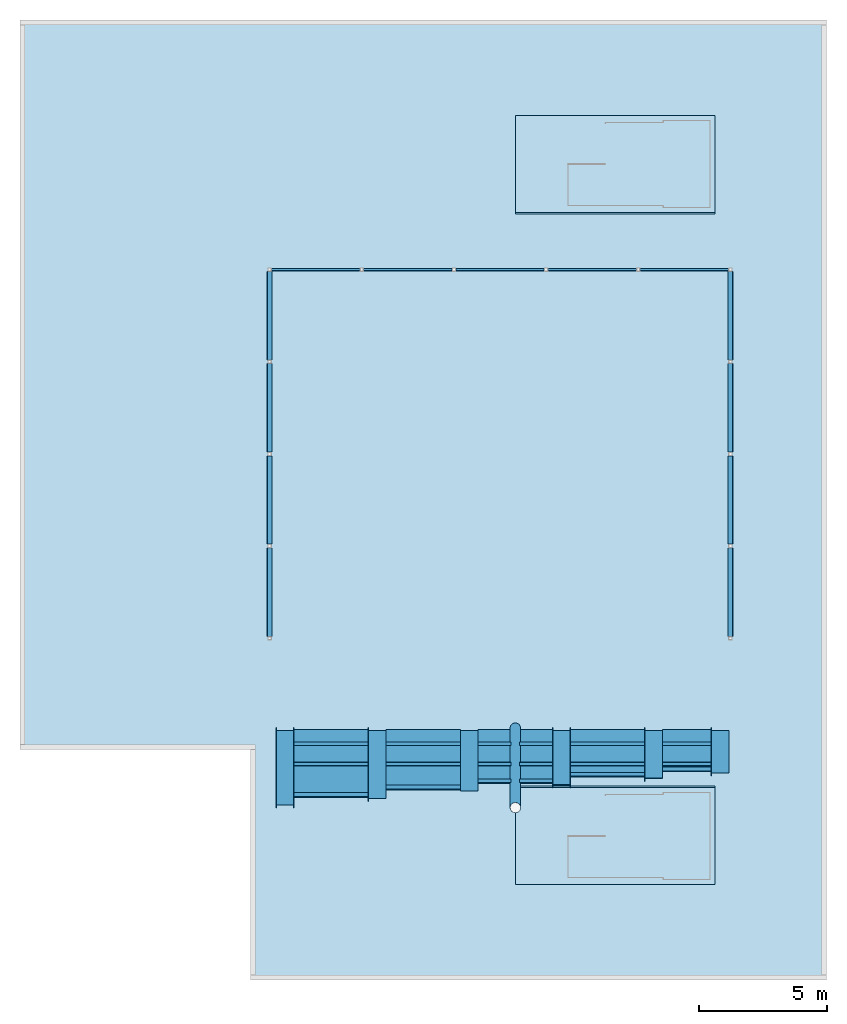
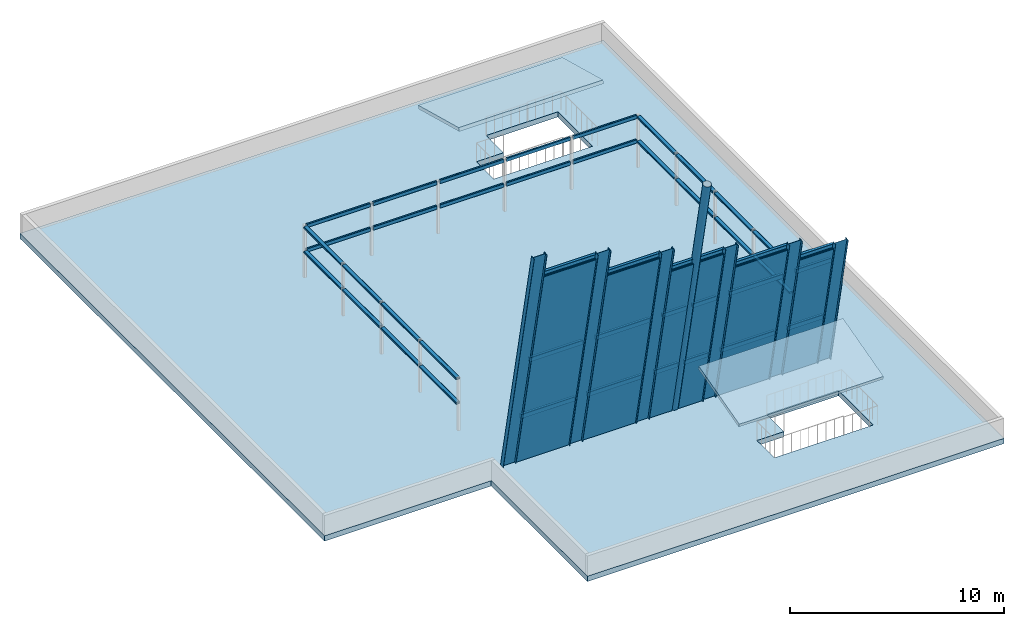
# One storey, part 2 of 5: 51 members, 6 plates, 3 slabs.
"""IFC4 building model written with IfcOpenShell, lengths in metres."""

from ifc_helpers import new_model, si_unit, direction, frame, origin, origin_2d, place, context, subcontext, project, spatial, polyline, hollow_rectangle, hollow_circle, i_section, outline, extrude, material, layer, layer_set, material_profile, profile_set, type_object, element, save


model = new_model("IFC4")

# Units and contexts
model_context = context("Model", 3, precision=1e-05, world=origin(), true_north=direction((0.0, 1.0)))
body_context = subcontext(model_context, "Body", "Model", "MODEL_VIEW")
ifc_project = project(units=[si_unit("LENGTHUNIT", "METRE"), si_unit("AREAUNIT", "SQUARE_METRE"), si_unit("VOLUMEUNIT", "CUBIC_METRE"), si_unit("PLANEANGLEUNIT", "RADIAN"), si_unit("MASSUNIT", "GRAM", prefix="KILO")], contexts=[model_context])

# Site, building, storey
site_placement = place(None, origin())
site = spatial("IfcSite", under=ifc_project, at=site_placement, CompositionType="ELEMENT")
building_placement = place(site_placement, origin())
building = spatial("IfcBuilding", under=site, at=building_placement, Name="Tuart Plaza Theatre", CompositionType="ELEMENT")
storey_placement = place(building_placement, frame((0.0, 0.0, 70.5)))
storey = spatial("IfcBuildingStorey", under=building, at=storey_placement, Name="ROOF", CompositionType="ELEMENT", Elevation=70.5)

# Members
ifc_material_1 = material(Name="Steel Grade 300", Category="steel")
ifc_material_profile_1 = material_profile(ifc_material_1, i_section(OverallWidth=0.14599609375, OverallDepth=0.256103515625, WebThickness=0.00634765625, FlangeThickness=0.010986328125, FilletRadius=0.0087890625, at=origin_2d()), Name="250UB37.3")
ifc_profile_set_1 = profile_set([ifc_material_profile_1], Name="Steel Grade 300")
member_type_1 = type_object("IfcMemberType", Name="CROWN BLADE BMU Track 250UB37.3", PredefinedType="CHORD", material=ifc_profile_set_1)
member_1_placement = place(storey_placement, frame((123.949951171875, 62.493408203125, 12.297607421875), z_axis=(1.0, 0.0, 0.0), x_axis=(0.0, 1.0, 0.0)))
element("IfcMember", 1, at=member_1_placement, inside=storey, type_object=member_type_1, Name="CH72", PredefinedType="CHORD", context=body_context, shape_type="SweptSolid", body=[
    extrude(i_section(OverallWidth=0.14599609375, OverallDepth=0.256103515625, WebThickness=0.00634765625, FlangeThickness=0.010986328125, FilletRadius=0.0087890625, at=origin_2d()), origin(), (0.0, 0.0, 1.0), 2.900146484375),
])
member_2_placement = place(storey_placement, frame((127.550048828125, 62.784423828125, 10.92822265625), z_axis=(1.0, 0.0, 0.0), x_axis=(0.0, 1.0, 0.0)))
element("IfcMember", 2, at=member_2_placement, inside=storey, type_object=member_type_1, Name="CH72", PredefinedType="CHORD", context=body_context, shape_type="SweptSolid", body=[
    extrude(i_section(OverallWidth=0.14599609375, OverallDepth=0.256103515625, WebThickness=0.00634765625, FlangeThickness=0.010986328125, FilletRadius=0.0087890625, at=origin_2d()), origin(), (0.0, 0.0, 1.0), 2.89990234375),
])
for number, where, z_axis, x_axis, name in (
    (3, (131.14990234375, 63.033935546875, 9.75439453125), (1.0, 0.0, 0.0), (0.0, 1.0, 0.0), "CH72"),
    (4, (132.77099609375, 63.033935546875, 9.75439453125), (1.0, 0.0, 0.0), (0.0, 1.0, 0.0), "CH72"),
):
    element("IfcMember", number, at=place(storey_placement, frame(where, z_axis=z_axis, x_axis=x_axis)), inside=storey, type_object=member_type_1, Name=name, PredefinedType="CHORD", context=body_context, shape_type="SweptSolid", body=[
        extrude(i_section(OverallWidth=0.14599609375, OverallDepth=0.256103515625, WebThickness=0.00634765625, FlangeThickness=0.010986328125, FilletRadius=0.0087890625, at=origin_2d()), origin(), (0.0, 0.0, 1.0), 1.279052734375),
    ])
member_3_placement = place(storey_placement, frame((134.75, 63.283447265625, 8.58056640625), z_axis=(1.0, 0.0, 0.0), x_axis=(0.0, 1.0, 0.0)))
element("IfcMember", 5, at=member_3_placement, inside=storey, type_object=member_type_1, Name="CH72", PredefinedType="CHORD", context=body_context, shape_type="SweptSolid", body=[
    extrude(i_section(OverallWidth=0.14599609375, OverallDepth=0.256103515625, WebThickness=0.00634765625, FlangeThickness=0.010986328125, FilletRadius=0.0087890625, at=origin_2d()), origin(), (0.0, 0.0, 1.0), 2.89990234375),
])
member_4_placement = place(storey_placement, frame((138.35009765625, 63.491455078125, 7.6025390625), z_axis=(1.0, 0.0, 0.0), x_axis=(0.0, 1.0, 0.0)))
element("IfcMember", 6, at=member_4_placement, inside=storey, type_object=member_type_1, Name="CH72", PredefinedType="CHORD", context=body_context, shape_type="SweptSolid", body=[
    extrude(i_section(OverallWidth=0.14599609375, OverallDepth=0.256103515625, WebThickness=0.00634765625, FlangeThickness=0.010986328125, FilletRadius=0.0087890625, at=origin_2d()), origin(), (0.0, 0.0, 1.0), 1.89990234375),
])
ifc_material_2 = material(Name="Steel Grade 300", Category="steel")
ifc_material_profile_2 = material_profile(ifc_material_2, i_section(OverallWidth=0.25, OverallDepth=0.699951171875, WebThickness=0.008056640625, FlangeThickness=0.011962890625, at=origin_2d()), Name="700WB115")
ifc_profile_set_2 = profile_set([ifc_material_profile_2], Name="Steel Grade 300")
member_type_2 = type_object("IfcMemberType", Name="CROWN BLADE Blade 700WB115", PredefinedType="POST", material=ifc_profile_set_2)
member_5_placement = place(storey_placement, frame((123.60009765625, 64.994384765625, 0.0263671875), z_axis=(0.0, -0.207902429734, 0.978149569192), x_axis=(0.0, 0.978149569192, 0.207902429734)))
element("IfcMember", 7, at=member_5_placement, inside=storey, type_object=member_type_2, Name="PO108", PredefinedType="POST", context=body_context, shape_type="SweptSolid", body=[
    extrude(i_section(OverallWidth=0.25, OverallDepth=0.699951171875, WebThickness=0.008056640625, FlangeThickness=0.011962890625, at=origin_2d()), origin(), (0.0, 0.0, 1.0), 13.97314453125),
])
member_6_placement = place(storey_placement, frame((127.199951171875, 64.994384765625, 0.0263671875), z_axis=(0.0, -0.207919334196, 0.978145976052), x_axis=(0.0, 0.978145976052, 0.207919334196)))
element("IfcMember", 8, at=member_6_placement, inside=storey, type_object=member_type_2, Name="PO108", PredefinedType="POST", context=body_context, shape_type="SweptSolid", body=[
    extrude(i_section(OverallWidth=0.25, OverallDepth=0.699951171875, WebThickness=0.008056640625, FlangeThickness=0.011962890625, at=origin_2d()), origin(), (0.0, 0.0, 1.0), 12.77294921875),
])
member_7_placement = place(storey_placement, frame((130.800048828125, 64.994384765625, 0.0263671875), z_axis=(0.0, -0.207904455253, 0.978149138673), x_axis=(0.0, 0.978149138673, 0.207904455253)))
element("IfcMember", 9, at=member_7_placement, inside=storey, type_object=member_type_2, Name="PO108", PredefinedType="POST", context=body_context, shape_type="SweptSolid", body=[
    extrude(i_section(OverallWidth=0.25, OverallDepth=0.699951171875, WebThickness=0.008056640625, FlangeThickness=0.011962890625, at=origin_2d()), origin(), (0.0, 0.0, 1.0), 11.373046875),
])
member_8_placement = place(storey_placement, frame((134.39990234375, 64.994384765625, 0.0263671875), z_axis=(0.0, -0.207902957602, 0.978149456995), x_axis=(0.0, 0.978149456995, 0.207902957602)))
element("IfcMember", 10, at=member_8_placement, inside=storey, type_object=member_type_2, Name="PO108", PredefinedType="POST", context=body_context, shape_type="SweptSolid", body=[
    extrude(i_section(OverallWidth=0.25, OverallDepth=0.699951171875, WebThickness=0.008056640625, FlangeThickness=0.011962890625, at=origin_2d()), origin(), (0.0, 0.0, 1.0), 10.1728515625),
])
member_9_placement = place(storey_placement, frame((138.0, 64.994384765625, 0.0263671875), z_axis=(0.0, -0.207901059354, 0.978149860461), x_axis=(0.0, 0.978149860461, 0.207901059354)))
element("IfcMember", 11, at=member_9_placement, inside=storey, type_object=member_type_2, Name="PO108", PredefinedType="POST", context=body_context, shape_type="SweptSolid", body=[
    extrude(i_section(OverallWidth=0.25, OverallDepth=0.699951171875, WebThickness=0.008056640625, FlangeThickness=0.011962890625, at=origin_2d()), origin(), (0.0, 0.0, 1.0), 8.972900390625),
])
member_10_placement = place(storey_placement, frame((140.60009765625, 64.994384765625, 0.0263671875), z_axis=(0.0, -0.207914421125, 0.978147020385), x_axis=(0.0, 0.978147020385, 0.207914421125)))
element("IfcMember", 12, at=member_10_placement, inside=storey, type_object=member_type_2, Name="PO108", PredefinedType="POST", context=body_context, shape_type="SweptSolid", body=[
    extrude(i_section(OverallWidth=0.25, OverallDepth=0.699951171875, WebThickness=0.008056640625, FlangeThickness=0.011962890625, at=origin_2d()), origin(), (0.0, 0.0, 1.0), 7.97314453125),
])
ifc_material_3 = material(Name="Steel Grade C350L0", Category="steel")
ifc_material_profile_3 = material_profile(ifc_material_3, hollow_rectangle(XDim=0.14990234375, YDim=0.25, WallThickness=0.009033203125, InnerFilletRadius=0.009033203125, OuterFilletRadius=0.01806640625, at=origin_2d()), Name="250x150x9 RHS")
ifc_profile_set_3 = profile_set([ifc_material_profile_3], Name="Steel Grade C350L0")
member_type_3 = type_object("IfcMemberType", Name="CROWN BLADE Tie 250x150x9 RHS", PredefinedType="CHORD", material=ifc_profile_set_3)
for number, where, z_axis, x_axis, name in (
    (13, (123.949951171875, 64.47900390625, 2.956298828125), (1.0, 0.0, 0.0), (0.0, 1.0, 0.0), "CH27"),
    (14, (123.949951171875, 63.68896484375, 6.67333984375), (1.0, 0.0, 0.0), (0.0, 1.0, 0.0), "CH27"),
):
    element("IfcMember", number, at=place(storey_placement, frame(where, z_axis=z_axis, x_axis=x_axis)), inside=storey, type_object=member_type_3, Name=name, PredefinedType="CHORD", context=body_context, shape_type="SweptSolid", body=[
        extrude(hollow_rectangle(XDim=0.14990234375, YDim=0.25, WallThickness=0.009033203125, InnerFilletRadius=0.009033203125, OuterFilletRadius=0.01806640625, at=origin_2d()), origin(), (0.0, 0.0, 1.0), 2.900146484375),
    ])
for number, where, z_axis, x_axis, name in (
    (15, (127.550048828125, 64.47900390625, 2.956298828125), (1.0, 0.0, 0.0), (0.0, 1.0, 0.0), "CH27"),
    (16, (127.550048828125, 63.68896484375, 6.67333984375), (1.0, 0.0, 0.0), (0.0, 1.0, 0.0), "CH27"),
):
    element("IfcMember", number, at=place(storey_placement, frame(where, z_axis=z_axis, x_axis=x_axis)), inside=storey, type_object=member_type_3, Name=name, PredefinedType="CHORD", context=body_context, shape_type="SweptSolid", body=[
        extrude(hollow_rectangle(XDim=0.14990234375, YDim=0.25, WallThickness=0.009033203125, InnerFilletRadius=0.009033203125, OuterFilletRadius=0.01806640625, at=origin_2d()), origin(), (0.0, 0.0, 1.0), 2.89990234375),
    ])
for number, where, z_axis, x_axis, name in (
    (17, (131.14990234375, 64.47900390625, 2.956298828125), (1.0, 0.0, 0.0), (0.0, 1.0, 0.0), "CH27"),
    (18, (131.14990234375, 63.68896484375, 6.67333984375), (1.0, 0.0, 0.0), (0.0, 1.0, 0.0), "CH27"),
    (19, (132.77099609375, 64.47900390625, 2.956298828125), (1.0, 0.0, 0.0), (0.0, 1.0, 0.0), "CH27"),
    (20, (132.77099609375, 63.68896484375, 6.67333984375), (1.0, 0.0, 0.0), (0.0, 1.0, 0.0), "CH27"),
):
    element("IfcMember", number, at=place(storey_placement, frame(where, z_axis=z_axis, x_axis=x_axis)), inside=storey, type_object=member_type_3, Name=name, PredefinedType="CHORD", context=body_context, shape_type="SweptSolid", body=[
        extrude(hollow_rectangle(XDim=0.14990234375, YDim=0.25, WallThickness=0.009033203125, InnerFilletRadius=0.009033203125, OuterFilletRadius=0.01806640625, at=origin_2d()), origin(), (0.0, 0.0, 1.0), 1.279052734375),
    ])
for number, where, z_axis, x_axis, name in (
    (21, (134.75, 64.47900390625, 2.956298828125), (1.0, 0.0, 0.0), (0.0, 1.0, 0.0), "CH27"),
    (22, (134.75, 63.68896484375, 6.67333984375), (1.0, 0.0, 0.0), (0.0, 1.0, 0.0), "CH27"),
):
    element("IfcMember", number, at=place(storey_placement, frame(where, z_axis=z_axis, x_axis=x_axis)), inside=storey, type_object=member_type_3, Name=name, PredefinedType="CHORD", context=body_context, shape_type="SweptSolid", body=[
        extrude(hollow_rectangle(XDim=0.14990234375, YDim=0.25, WallThickness=0.009033203125, InnerFilletRadius=0.009033203125, OuterFilletRadius=0.01806640625, at=origin_2d()), origin(), (0.0, 0.0, 1.0), 2.89990234375),
    ])
for number, where, z_axis, x_axis, name in (
    (23, (138.35009765625, 64.47900390625, 2.956298828125), (1.0, 0.0, 0.0), (0.0, 1.0, 0.0), "CH27"),
    (24, (138.35009765625, 63.68896484375, 6.67333984375), (1.0, 0.0, 0.0), (0.0, 1.0, 0.0), "CH27"),
):
    element("IfcMember", number, at=place(storey_placement, frame(where, z_axis=z_axis, x_axis=x_axis)), inside=storey, type_object=member_type_3, Name=name, PredefinedType="CHORD", context=body_context, shape_type="SweptSolid", body=[
        extrude(hollow_rectangle(XDim=0.14990234375, YDim=0.25, WallThickness=0.009033203125, InnerFilletRadius=0.009033203125, OuterFilletRadius=0.01806640625, at=origin_2d()), origin(), (0.0, 0.0, 1.0), 1.89990234375),
    ])
ifc_material_4 = material(Name="Steel Grade C350L0", Category="steel")
ifc_material_profile_4 = material_profile(ifc_material_4, hollow_circle(Radius=0.203125, WallThickness=0.0126953125, at=origin_2d()), Name="406.4x12.7 CHS")
ifc_profile_set_4 = profile_set([ifc_material_profile_4], Name="Steel Grade C350L0")
member_type_4 = type_object("IfcMemberType", Name="CROWN MAST Mast 406.4x12.7 CHS", PredefinedType="POST", material=ifc_profile_set_4)
member_11_placement = place(storey_placement, frame((132.60009765625, 65.093505859375, 0.064453125), z_axis=(0.0, -0.207895653683, 0.978151009395), x_axis=(1.0, 0.0, 0.0)))
element("IfcMember", 25, at=member_11_placement, inside=storey, type_object=member_type_4, Name="PO242", PredefinedType="POST", context=body_context, shape_type="SweptSolid", body=[
    extrude(hollow_circle(Radius=0.203125, WallThickness=0.0126953125, at=origin_2d()), origin(), (0.0, 0.0, 1.0), 14.95654296875),
])
ifc_material_5 = material(Name="Steel Grade C350L0", Category="steel")
ifc_material_profile_5 = material_profile(ifc_material_5, hollow_rectangle(XDim=0.10009765625, YDim=0.199951171875, WallThickness=0.008056640625, InnerFilletRadius=0.008056640625, OuterFilletRadius=0.01611328125, at=origin_2d()), Name="200x100x8 RHS")
ifc_profile_set_5 = profile_set([ifc_material_profile_5], Name="Steel Grade C350L0")
member_type_5 = type_object("IfcMemberType", Name="MEMBER Purlin 200x100x8 RHS", PredefinedType="PURLIN", material=ifc_profile_set_5)
for number, where, z_axis, x_axis, name in (
    (26, (141.0, 68.675048828125, 2.89990234375), (0.0, 1.0, 0.0), (0.0, 0.0, 1.0), "PU133"),
    (27, (141.0, 68.675048828125, 1.5), (0.0, 1.0, 0.0), (0.0, 0.0, 1.0), "PU134"),
):
    element("IfcMember", number, at=place(storey_placement, frame(where, z_axis=z_axis, x_axis=x_axis)), inside=storey, type_object=member_type_5, Name=name, PredefinedType="PURLIN", context=body_context, shape_type="SweptSolid", body=[
        extrude(hollow_rectangle(XDim=0.10009765625, YDim=0.199951171875, WallThickness=0.008056640625, InnerFilletRadius=0.008056640625, OuterFilletRadius=0.01611328125, at=origin_2d()), origin(), (0.0, 0.0, 1.0), 3.449951171875),
    ])
for number, where, z_axis, x_axis, name in (
    (28, (141.0, 72.27490234375, 2.89990234375), (0.0, 1.0, 0.0), (0.0, 0.0, 1.0), "PU135"),
    (29, (141.0, 72.27490234375, 1.5), (0.0, 1.0, 0.0), (0.0, 0.0, 1.0), "PU136"),
):
    element("IfcMember", number, at=place(storey_placement, frame(where, z_axis=z_axis, x_axis=x_axis)), inside=storey, type_object=member_type_5, Name=name, PredefinedType="PURLIN", context=body_context, shape_type="SweptSolid", body=[
        extrude(hollow_rectangle(XDim=0.10009765625, YDim=0.199951171875, WallThickness=0.008056640625, InnerFilletRadius=0.008056640625, OuterFilletRadius=0.01611328125, at=origin_2d()), origin(), (0.0, 0.0, 1.0), 3.4501953125),
    ])
for number, where, z_axis, x_axis, name in (
    (30, (141.0, 75.875, 2.89990234375), (0.0, 1.0, 0.0), (0.0, 0.0, 1.0), "PU137"),
    (31, (141.0, 75.875, 1.5), (0.0, 1.0, 0.0), (0.0, 0.0, 1.0), "PU138"),
    (32, (141.0, 79.47509765625, 2.89990234375), (0.0, 1.0, 0.0), (0.0, 0.0, 1.0), "PU139"),
    (33, (141.0, 79.47509765625, 1.5), (0.0, 1.0, 0.0), (0.0, 0.0, 1.0), "PU140"),
    (34, (140.925048828125, 83.0, 2.89990234375), (-1.0, 0.0, 0.0), (0.0, -1.0, 0.0), "PU141"),
    (35, (140.925048828125, 83.0, 1.5), (-1.0, 0.0, 0.0), (0.0, -1.0, 0.0), "PU142"),
    (36, (137.324951171875, 83.0, 2.89990234375), (-1.0, 0.0, 0.0), (0.0, -1.0, 0.0), "PU143"),
    (37, (137.324951171875, 83.0, 1.5), (-1.0, 0.0, 0.0), (0.0, -1.0, 0.0), "PU144"),
):
    element("IfcMember", number, at=place(storey_placement, frame(where, z_axis=z_axis, x_axis=x_axis)), inside=storey, type_object=member_type_5, Name=name, PredefinedType="PURLIN", context=body_context, shape_type="SweptSolid", body=[
        extrude(hollow_rectangle(XDim=0.10009765625, YDim=0.199951171875, WallThickness=0.008056640625, InnerFilletRadius=0.008056640625, OuterFilletRadius=0.01611328125, at=origin_2d()), origin(), (0.0, 0.0, 1.0), 3.449951171875),
    ])
for number, where, z_axis, x_axis, name in (
    (38, (133.72509765625, 83.0, 2.89990234375), (-1.0, 0.0, 0.0), (0.0, -1.0, 0.0), "PU145"),
    (39, (133.72509765625, 83.0, 1.5), (-1.0, 0.0, 0.0), (0.0, -1.0, 0.0), "PU146"),
):
    element("IfcMember", number, at=place(storey_placement, frame(where, z_axis=z_axis, x_axis=x_axis)), inside=storey, type_object=member_type_5, Name=name, PredefinedType="PURLIN", context=body_context, shape_type="SweptSolid", body=[
        extrude(hollow_rectangle(XDim=0.10009765625, YDim=0.199951171875, WallThickness=0.008056640625, InnerFilletRadius=0.008056640625, OuterFilletRadius=0.01611328125, at=origin_2d()), origin(), (0.0, 0.0, 1.0), 3.4501953125),
    ])
for number, where, z_axis, x_axis, name in (
    (40, (130.125, 83.0, 2.89990234375), (-1.0, 0.0, 0.0), (0.0, -1.0, 0.0), "PU147"),
    (41, (130.125, 83.0, 1.5), (-1.0, 0.0, 0.0), (0.0, -1.0, 0.0), "PU148"),
    (42, (126.52490234375, 83.0, 2.89990234375), (-1.0, 0.0, 0.0), (0.0, -1.0, 0.0), "PU149"),
    (43, (126.52490234375, 83.0, 1.5), (-1.0, 0.0, 0.0), (0.0, -1.0, 0.0), "PU150"),
    (44, (123.0, 82.925048828125, 2.89990234375), (0.0, -1.0, 0.0), (0.0, 0.0, 1.0), "PU151"),
    (45, (123.0, 82.925048828125, 1.5), (0.0, -1.0, 0.0), (0.0, 0.0, 1.0), "PU152"),
    (46, (123.0, 79.324951171875, 2.89990234375), (0.0, -1.0, 0.0), (0.0, 0.0, 1.0), "PU153"),
    (47, (123.0, 79.324951171875, 1.5), (0.0, -1.0, 0.0), (0.0, 0.0, 1.0), "PU154"),
):
    element("IfcMember", number, at=place(storey_placement, frame(where, z_axis=z_axis, x_axis=x_axis)), inside=storey, type_object=member_type_5, Name=name, PredefinedType="PURLIN", context=body_context, shape_type="SweptSolid", body=[
        extrude(hollow_rectangle(XDim=0.10009765625, YDim=0.199951171875, WallThickness=0.008056640625, InnerFilletRadius=0.008056640625, OuterFilletRadius=0.01611328125, at=origin_2d()), origin(), (0.0, 0.0, 1.0), 3.449951171875),
    ])
for number, where, z_axis, x_axis, name in (
    (48, (123.0, 75.72509765625, 2.89990234375), (0.0, -1.0, 0.0), (0.0, 0.0, 1.0), "PU155"),
    (49, (123.0, 75.72509765625, 1.5), (0.0, -1.0, 0.0), (0.0, 0.0, 1.0), "PU156"),
):
    element("IfcMember", number, at=place(storey_placement, frame(where, z_axis=z_axis, x_axis=x_axis)), inside=storey, type_object=member_type_5, Name=name, PredefinedType="PURLIN", context=body_context, shape_type="SweptSolid", body=[
        extrude(hollow_rectangle(XDim=0.10009765625, YDim=0.199951171875, WallThickness=0.008056640625, InnerFilletRadius=0.008056640625, OuterFilletRadius=0.01611328125, at=origin_2d()), origin(), (0.0, 0.0, 1.0), 3.4501953125),
    ])
for number, where, z_axis, x_axis, name in (
    (50, (123.0, 72.125, 2.89990234375), (0.0, -1.0, 0.0), (0.0, 0.0, 1.0), "PU157"),
    (51, (123.0, 72.125, 1.5), (0.0, -1.0, 0.0), (0.0, 0.0, 1.0), "PU158"),
):
    element("IfcMember", number, at=place(storey_placement, frame(where, z_axis=z_axis, x_axis=x_axis)), inside=storey, type_object=member_type_5, Name=name, PredefinedType="PURLIN", context=body_context, shape_type="SweptSolid", body=[
        extrude(hollow_rectangle(XDim=0.10009765625, YDim=0.199951171875, WallThickness=0.008056640625, InnerFilletRadius=0.008056640625, OuterFilletRadius=0.01611328125, at=origin_2d()), origin(), (0.0, 0.0, 1.0), 3.449951171875),
    ])

# Plates
ifc_material_6 = material(Name="Steel perforated panel", Category="steel")
ifc_layer_1 = layer(ifc_material_6, 0.06005859375)
ifc_layer_set_1 = layer_set([ifc_layer_1], Name="PLATE Crown louvre panel 60 Steel perforated panel")
plate_type = type_object("IfcPlateType", Name="PLATE Crown louvre panel 60 Steel perforated panel", PredefinedType="SHEET", material=ifc_layer_set_1)
plate_1_placement = place(storey_placement, frame((123.949951171875, 65.028076171875, 0.012451171875), z_axis=(0.0, 0.978148404723, 0.207907908311), x_axis=(1.0, 0.0, 0.0)))
element("IfcPlate", 52, at=plate_1_placement, inside=storey, type_object=plate_type, Name="CP19", PredefinedType="SHEET", context=body_context, shape_type="SweptSolid", body=[
    extrude(outline(polyline([(0.0, 0.0), (2.900146484375, 0.0), (2.900146484375, -12.41558750261184), (0.0, -12.41558750261184), (0.0, 0.0)])), origin(), (0.0, 0.0, -1.0), 0.06005859375),
])
plate_2_placement = place(storey_placement, frame((127.550048828125, 65.028076171875, 0.012451171875), z_axis=(0.0, 0.978147471342, 0.207912299557), x_axis=(1.0, 0.0, 0.0)))
element("IfcPlate", 53, at=plate_2_placement, inside=storey, type_object=plate_type, Name="CP20", PredefinedType="SHEET", context=body_context, shape_type="SweptSolid", body=[
    extrude(outline(polyline([(0.0, 0.0), (2.89990234375, 0.0), (2.89990234375, -11.015621528895489), (0.0, -11.015621528895489), (0.0, 0.0)])), origin(), (0.0, 0.0, -1.0), 0.06005859375),
])
for number, where, z_axis, x_axis, name in (
    (54, (131.14990234375, 65.028076171875, 0.012451171875), (0.0, 0.978147597417, 0.207911706423), (1.0, 0.0, 0.0), "CP21"),
    (55, (132.77099609375, 65.028076171875, 0.012451171875), (0.0, 0.978147597417, 0.207911706423), (1.0, 0.0, 0.0), "CP22"),
):
    element("IfcPlate", number, at=place(storey_placement, frame(where, z_axis=z_axis, x_axis=x_axis)), inside=storey, type_object=plate_type, Name=name, PredefinedType="SHEET", context=body_context, shape_type="SweptSolid", body=[
        extrude(outline(polyline([(0.0, 0.0), (1.279052734375, 0.0), (1.279052734375, -9.815567961426586), (0.0, -9.815567961426586), (0.0, 0.0)])), origin(), (0.0, 0.0, -1.0), 0.06005859375),
    ])
plate_3_placement = place(storey_placement, frame((134.75, 65.028076171875, 0.012451171875), z_axis=(0.0, 0.978147758613, 0.207910948054), x_axis=(1.0, 0.0, 0.0)))
element("IfcPlate", 56, at=plate_3_placement, inside=storey, type_object=plate_type, Name="CP23", PredefinedType="SHEET", context=body_context, shape_type="SweptSolid", body=[
    extrude(outline(polyline([(0.0, 0.0), (2.89990234375, 0.0), (2.89990234375, -8.615514393962298), (0.0, -8.615514393962298), (0.0, 0.0)])), origin(), (0.0, 0.0, -1.0), 0.06005859375),
])
plate_4_placement = place(storey_placement, frame((138.35009765625, 65.028076171875, 0.012451171875), z_axis=(0.0, 0.978144509132, 0.207926235128), x_axis=(1.0, 0.0, 0.0)))
element("IfcPlate", 57, at=plate_4_placement, inside=storey, type_object=plate_type, Name="CP24", PredefinedType="SHEET", context=body_context, shape_type="SweptSolid", body=[
    extrude(outline(polyline([(0.0, 0.0), (1.89990234375, 0.0), (1.89990234375, -7.6156627987505505), (0.0, -7.6156627987505505), (0.0, 0.0)])), origin(), (0.0, 0.0, -1.0), 0.06005859375),
])

# Slabs
ifc_material_7 = material(Name="Concrete N40 (40 MPa)", Category="concrete")
ifc_layer_2 = layer(ifc_material_7, 0.199951171875)
ifc_layer_set_2 = layer_set([ifc_layer_2], Name="SLAB Head-house roof 200 Concrete N40 (40 MPa)")
slab_type_1 = type_object("IfcSlabType", Name="SLAB Head-house roof 200 Concrete N40 (40 MPa)", PredefinedType="ROOF", material=ifc_layer_set_2)
for number, where, z_axis, x_axis, name in (
    (58, (132.60009765625, 58.97509765625, 2.800048828125), (0.0, -0.258798128126, 0.965931430733), (1.0, 0.0, 0.0), "SR17"),
    (59, (132.60009765625, 85.22509765625, 3.818115234375), (0.0, 0.258798128126, 0.965931430733), (1.0, 0.0, 0.0), "SR18"),
):
    element("IfcSlab", number, at=place(storey_placement, frame(where, z_axis=z_axis, x_axis=x_axis)), inside=storey, type_object=slab_type_1, Name=name, PredefinedType="ROOF", context=body_context, shape_type="SweptSolid", body=[
        extrude(outline(polyline([(0.0, 0.0), (7.7998046875, 0.0), (7.7998046875, 3.9338244585494357), (0.0, 3.9338244585494357), (0.0, 0.0)])), origin(), (0.0, 0.0, -1.0), 0.199951171875),
    ])
ifc_material_8 = material(Name="Concrete N40 (40 MPa)", Category="concrete")
ifc_layer_3 = layer(ifc_material_8, 0.300048828125)
ifc_layer_set_3 = layer_set([ifc_layer_3], Name="SLAB Roof 300 Concrete N40 (40 MPa)")
slab_type_2 = type_object("IfcSlabType", Name="SLAB Roof 300 Concrete N40 (40 MPa)", PredefinedType="ROOF", material=ifc_layer_set_3)
slab_placement = place(storey_placement, frame((0.0, 0.0, -0.300048828125)))
element("IfcSlab", 60, at=slab_placement, inside=storey, type_object=slab_type_2, Name="SR13", PredefinedType="ROOF", context=body_context, shape_type="SweptSolid", body=[
    extrude(outline(polyline([(144.75, 92.75), (113.25, 92.75), (113.25, 64.25), (122.25, 64.25), (122.25, 55.25), (144.75, 55.25), (144.75, 92.75)]), holes=[polyline([(139.9951171875, 62.5), (136.114990234375, 62.5), (136.114990234375, 60.875), (134.655029296875, 60.875), (134.655029296875, 59.25), (139.9951171875, 59.25), (139.9951171875, 62.5)]), polyline([(139.9951171875, 85.5), (139.9951171875, 88.75), (136.114990234375, 88.75), (136.114990234375, 87.125), (134.655029296875, 87.125), (134.655029296875, 85.5), (139.9951171875, 85.5)])]), origin(), (0.0, 0.0, 1.0), 0.300048828125),
])

save(model, "model.ifc")
